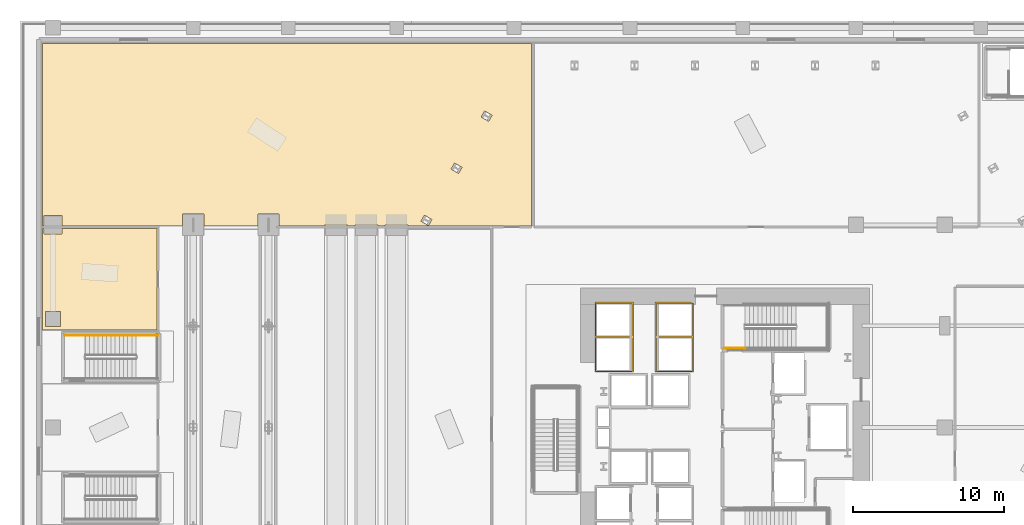
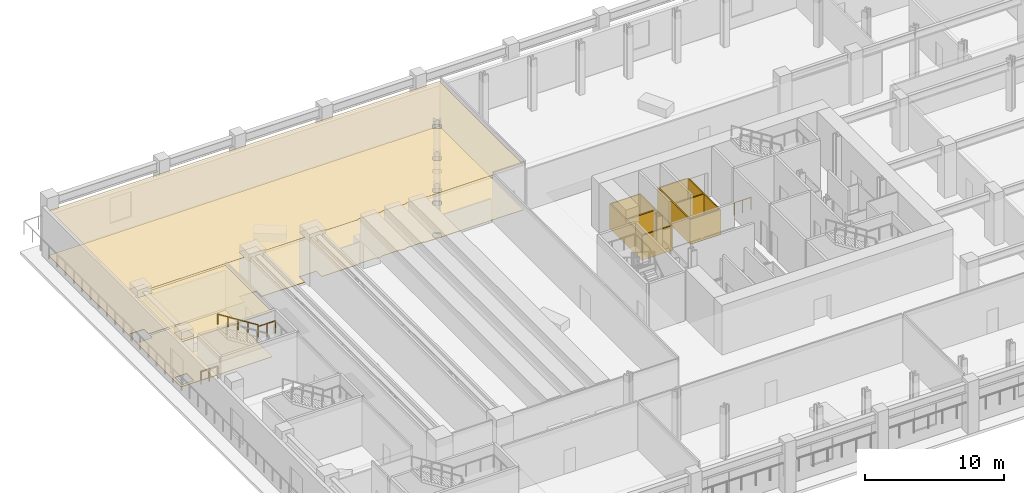
# One storey, part 20 of 24: 6 coverings, 4 railings.
"""IFC4 building model written with IfcOpenShell, lengths in metres."""

from ifc_helpers import new_model, si_unit, direction, frame, origin, origin_2d, place, context, subcontext, project, spatial, polyline, circle, outline, extrude, material, layer, layer_set, type_object, element, save


model = new_model("IFC4")

# Units and contexts
model_context = context("Model", 3, precision=1e-05, world=origin(), true_north=direction((0.0, 1.0)))
body_context = subcontext(model_context, "Body", "Model", "MODEL_VIEW")
ifc_project = project(units=[si_unit("LENGTHUNIT", "METRE"), si_unit("AREAUNIT", "SQUARE_METRE"), si_unit("VOLUMEUNIT", "CUBIC_METRE"), si_unit("PLANEANGLEUNIT", "RADIAN"), si_unit("MASSUNIT", "GRAM", prefix="KILO")], contexts=[model_context])

# Site, building, storey
site_placement = place(None, origin())
site = spatial("IfcSite", under=ifc_project, at=site_placement, CompositionType="ELEMENT")
building_placement = place(site_placement, origin())
building = spatial("IfcBuilding", under=site, at=building_placement, Name="Valkerne Bourse Tower", CompositionType="ELEMENT")
storey_placement = place(building_placement, frame((0.0, 0.0, 19.39990234375)))
storey = spatial("IfcBuildingStorey", under=building, at=storey_placement, Name="L04", CompositionType="ELEMENT", Elevation=19.39990234375)

# Coverings
ifc_material_1 = material(Name="Mineral Fiber Acoustic Ceiling Tile", Category="acoustic")
ifc_layer_1 = layer(ifc_material_1, 0.02490234375)
ifc_layer_set_1 = layer_set([ifc_layer_1], Name="Mineral Fiber Acoustic Ceiling Tile")
covering_type_1 = type_object("IfcCoveringType", Name="COV-CEIL-ACT", PredefinedType="CEILING", material=ifc_layer_set_1)
covering_1_placement = place(storey_placement, frame((0.0, 0.0, 3.9501953125)))
element("IfcCovering", 1, at=covering_1_placement, inside=storey, type_object=covering_type_1, Name="L04 Suspended Ceiling 11", PredefinedType="CEILING", context=body_context, shape_type="SweptSolid", body=[
    extrude(outline(polyline([(1.50390625, 52.49609375), (33.946044921875, 52.49609375), (33.946044921875, 40.384033203125), (25.751953125, 40.384033203125), (25.751953125, 40.4541015625), (24.22412109375, 40.4541015625), (24.22412109375, 40.384033203125), (23.7548828125, 40.384033203125), (23.7548828125, 40.4541015625), (22.22705078125, 40.4541015625), (22.22705078125, 40.384033203125), (21.756103515625, 40.384033203125), (21.756103515625, 40.4541015625), (20.22802734375, 40.4541015625), (20.22802734375, 40.384033203125), (17.2041015625, 40.384033203125), (17.2041015625, 41.154052734375), (15.7958984375, 41.154052734375), (15.7958984375, 40.384033203125), (12.2041015625, 40.384033203125), (12.2041015625, 41.154052734375), (10.7958984375, 41.154052734375), (10.7958984375, 40.384033203125), (2.803955078125, 40.384033203125), (2.803955078125, 41.053955078125), (1.595947265625, 41.053955078125), (1.595947265625, 40.384033203125), (1.50390625, 40.384033203125), (1.50390625, 52.49609375)]), holes=[polyline([(26.62109375, 40.690185546875), (27.12060546875, 40.40185546875), (27.35205078125, 40.802490234375), (26.852294921875, 41.091064453125), (26.62109375, 40.690185546875)]), polyline([(28.618896484375, 44.15087890625), (29.11865234375, 43.862548828125), (29.35009765625, 44.26318359375), (28.850341796875, 44.5517578125), (28.618896484375, 44.15087890625)]), polyline([(30.616943359375, 47.611572265625), (31.11669921875, 47.322998046875), (31.347900390625, 47.723876953125), (30.848388671875, 48.01220703125), (30.616943359375, 47.611572265625)])]), origin(), (0.0, 0.0, 1.0), 0.02490234375),
])
covering_2_placement = place(storey_placement, frame((0.0, 0.0, 3.9501953125)))
element("IfcCovering", 2, at=covering_2_placement, inside=storey, type_object=covering_type_1, Name="L04 Suspended Ceiling 12", PredefinedType="CEILING", context=body_context, shape_type="SweptSolid", body=[
    extrude(outline(polyline([(1.50390625, 40.196044921875), (1.595947265625, 40.196044921875), (1.595947265625, 39.845947265625), (2.803955078125, 39.845947265625), (2.803955078125, 40.196044921875), (9.095947265625, 40.196044921875), (9.095947265625, 33.4541015625), (1.50390625, 33.4541015625), (1.50390625, 40.196044921875)]), holes=[polyline([(1.696044921875, 34.7041015625), (1.696044921875, 33.696044921875), (2.7041015625, 33.696044921875), (2.7041015625, 34.7041015625), (1.696044921875, 34.7041015625)])]), origin(), (0.0, 0.0, 1.0), 0.02490234375),
])
ifc_material_2 = material(Name="Galvanised Painted Steel", Category="steel")
ifc_layer_2 = layer(ifc_material_2, 0.044921875)
ifc_layer_set_2 = layer_set([ifc_layer_2], Name="Galvanised Painted Steel")
covering_type_2 = type_object("IfcCoveringType", Name="COV-FLR-RAF", PredefinedType="FLOORING", material=ifc_layer_set_2)
covering_3_placement = place(storey_placement, origin())
element("IfcCovering", 3, at=covering_3_placement, inside=storey, type_object=covering_type_2, Name="L04 Floor Finish 11", PredefinedType="FLOORING", context=body_context, shape_type="SweptSolid", body=[
    extrude(outline(polyline([(1.50390625, 52.49609375), (33.946044921875, 52.49609375), (33.946044921875, 40.384033203125), (25.751953125, 40.384033203125), (25.751953125, 40.4541015625), (24.22412109375, 40.4541015625), (24.22412109375, 40.384033203125), (23.7548828125, 40.384033203125), (23.7548828125, 40.4541015625), (22.22705078125, 40.4541015625), (22.22705078125, 40.384033203125), (21.756103515625, 40.384033203125), (21.756103515625, 40.4541015625), (20.22802734375, 40.4541015625), (20.22802734375, 40.384033203125), (17.2041015625, 40.384033203125), (17.2041015625, 41.154052734375), (15.7958984375, 41.154052734375), (15.7958984375, 40.384033203125), (12.2041015625, 40.384033203125), (12.2041015625, 41.154052734375), (10.7958984375, 41.154052734375), (10.7958984375, 40.384033203125), (2.803955078125, 40.384033203125), (2.803955078125, 41.053955078125), (1.595947265625, 41.053955078125), (1.595947265625, 40.384033203125), (1.50390625, 40.384033203125), (1.50390625, 52.49609375)]), holes=[polyline([(26.62109375, 40.690185546875), (27.12060546875, 40.40185546875), (27.35205078125, 40.802490234375), (26.852294921875, 41.091064453125), (26.62109375, 40.690185546875)]), polyline([(28.618896484375, 44.15087890625), (29.11865234375, 43.862548828125), (29.35009765625, 44.26318359375), (28.850341796875, 44.5517578125), (28.618896484375, 44.15087890625)]), polyline([(30.616943359375, 47.611572265625), (31.11669921875, 47.322998046875), (31.347900390625, 47.723876953125), (30.848388671875, 48.01220703125), (30.616943359375, 47.611572265625)])]), origin(), (0.0, 0.0, 1.0), 0.045166015625),
])
covering_4_placement = place(storey_placement, origin())
element("IfcCovering", 4, at=covering_4_placement, inside=storey, type_object=covering_type_2, Name="L04 Floor Finish 12", PredefinedType="FLOORING", context=body_context, shape_type="SweptSolid", body=[
    extrude(outline(polyline([(1.50390625, 40.196044921875), (1.595947265625, 40.196044921875), (1.595947265625, 39.845947265625), (2.803955078125, 39.845947265625), (2.803955078125, 40.196044921875), (9.095947265625, 40.196044921875), (9.095947265625, 33.4541015625), (1.50390625, 33.4541015625), (1.50390625, 40.196044921875)]), holes=[polyline([(1.696044921875, 34.7041015625), (1.696044921875, 33.696044921875), (2.7041015625, 33.696044921875), (2.7041015625, 34.7041015625), (1.696044921875, 34.7041015625)])]), origin(), (0.0, 0.0, 1.0), 0.045166015625),
])
ifc_material_3 = material(Name="Gypsum Shaftwall Liner Board", Category="gypsum")
ifc_layer_3 = layer(ifc_material_3, 0.080078125)
ifc_layer_set_3 = layer_set([ifc_layer_3], Name="Gypsum Shaftwall Liner Board")
covering_type_3 = type_object("IfcCoveringType", Name="COV-SHF-CLAD", PredefinedType="CLADDING", material=ifc_layer_set_3)
covering_5_placement = place(storey_placement, origin())
element("IfcCovering", 5, at=covering_5_placement, inside=storey, type_object=covering_type_3, Name="L04 Hoistway & Riser Shaftwall Liner 05", PredefinedType="CLADDING", context=body_context, shape_type="SweptSolid", body=[
    extrude(outline(polyline([(40.72998046875, 35.330078125), (40.72998046875, 33.030029296875), (40.72998046875, 32.969970703125), (40.72998046875, 30.669921875), (38.169921875, 30.669921875), (38.169921875, 32.969970703125), (38.169921875, 33.030029296875), (38.169921875, 35.330078125), (40.72998046875, 35.330078125)]), holes=[polyline([(38.260009765625, 30.760009765625), (40.639892578125, 30.760009765625), (40.639892578125, 32.93994140625), (38.260009765625, 32.93994140625), (38.260009765625, 30.760009765625)]), polyline([(38.260009765625, 33.06005859375), (40.639892578125, 33.06005859375), (40.639892578125, 35.239990234375), (38.260009765625, 35.239990234375), (38.260009765625, 33.06005859375)])]), origin(), (0.0, 0.0, 1.0), 2.18017578125),
])
covering_6_placement = place(storey_placement, origin())
element("IfcCovering", 6, at=covering_6_placement, inside=storey, type_object=covering_type_3, Name="L04 Hoistway & Riser Shaftwall Liner 12", PredefinedType="CLADDING", context=body_context, shape_type="SweptSolid", body=[
    extrude(outline(polyline([(42.169921875, 35.330078125), (44.474365234375, 35.330078125), (44.47998046875, 35.32568359375), (44.517822265625, 35.302978515625), (44.557861328125, 35.2841796875), (44.599365234375, 35.269287109375), (44.64208984375, 35.258544921875), (44.685791015625, 35.252197265625), (44.72998046875, 35.25), (44.72998046875, 33.030029296875), (44.72998046875, 32.969970703125), (44.72998046875, 30.669921875), (42.169921875, 30.669921875), (42.169921875, 32.969970703125), (42.169921875, 33.030029296875), (42.169921875, 35.330078125)]), holes=[polyline([(42.260009765625, 32.93994140625), (42.260009765625, 30.760009765625), (44.639892578125, 30.760009765625), (44.639892578125, 32.93994140625), (42.260009765625, 32.93994140625)]), polyline([(42.260009765625, 33.06005859375), (44.639892578125, 33.06005859375), (44.639892578125, 35.239990234375), (42.260009765625, 35.239990234375), (42.260009765625, 33.06005859375)])]), origin(), (0.0, 0.0, 1.0), 2.18017578125),
])

# Railings
railing_type_1 = type_object("IfcRailingType", Name="RLG-ST-GUARD-1120", PredefinedType="GUARDRAIL", material=ifc_material_2)
railing_1_placement = place(storey_placement, frame((46.75, 32.25, 0.0)))
element("IfcRailing", 7, at=railing_1_placement, inside=storey, type_object=railing_type_1, Name="L04 ST-2 stair guard 8", PredefinedType="GUARDRAIL", context=body_context, shape_type="SweptSolid", body=[
    extrude(circle(Radius=0.02392578125, at=origin_2d()), frame((0.0, 0.0, 1.09619140625), z_axis=(1.0, 0.0, 0.0), x_axis=(0.0, 1.0, 0.0)), (0.0, 0.0, 1.0), 1.39990234375),
    extrude(circle(Radius=0.02099609375, at=origin_2d()), origin(), (0.0, 0.0, 1.0), 1.072021484375),
    extrude(circle(Radius=0.02099609375, at=origin_2d()), frame((0.699951171875, 0.0, 0.0)), (0.0, 0.0, 1.0), 1.072021484375),
    extrude(circle(Radius=0.02099609375, at=origin_2d()), frame((1.39990234375, 0.0, 0.0)), (0.0, 0.0, 1.0), 1.072021484375),
])
railing_2_placement = place(storey_placement, frame((7.7099609375, 33.10009765625, 2.300048828125)))
element("IfcRailing", 8, at=railing_2_placement, inside=storey, type_object=railing_type_1, Name="L04 ST-G2 stair guard 4", PredefinedType="GUARDRAIL", context=body_context, shape_type="SweptSolid", body=[
    extrude(circle(Radius=0.02392578125, at=origin_2d()), frame((0.0, 0.0, 1.09619140625), z_axis=(1.0, 0.0, 0.0), x_axis=(0.0, 1.0, 0.0)), (0.0, 0.0, 1.0), 1.43994140625),
    extrude(circle(Radius=0.02099609375, at=origin_2d()), origin(), (0.0, 0.0, 1.0), 1.072021484375),
    extrude(circle(Radius=0.02099609375, at=origin_2d()), frame((0.719970703125, 0.0, 0.0)), (0.0, 0.0, 1.0), 1.072021484375),
    extrude(circle(Radius=0.02099609375, at=origin_2d()), frame((1.43994140625, 0.0, 0.0)), (0.0, 0.0, 1.0), 1.072021484375),
])
railing_3_placement = place(storey_placement, frame((2.949951171875, 33.10009765625, 0.0)))
element("IfcRailing", 9, at=railing_3_placement, inside=storey, type_object=railing_type_1, Name="L04 ST-G2 stair guard 9", PredefinedType="GUARDRAIL", context=body_context, shape_type="SweptSolid", body=[
    extrude(circle(Radius=0.02392578125, at=origin_2d()), frame((0.0, 0.0, 1.09619140625), z_axis=(1.0, 0.0, 0.0), x_axis=(0.0, 1.0, 0.0)), (0.0, 0.0, 1.0), 1.400146484375),
    extrude(circle(Radius=0.02099609375, at=origin_2d()), origin(), (0.0, 0.0, 1.0), 1.072021484375),
    extrude(circle(Radius=0.02099609375, at=origin_2d()), frame((0.7001953125, 0.0, 0.0)), (0.0, 0.0, 1.0), 1.072021484375),
    extrude(circle(Radius=0.02099609375, at=origin_2d()), frame((1.400146484375, 0.0, 0.0)), (0.0, 0.0, 1.0), 1.072021484375),
])
ifc_material_4 = material(Name="Stainless Steel AISI 316", Category="steel")
railing_type_2 = type_object("IfcRailingType", Name="RLG-ST-HANDRAIL-900", PredefinedType="HANDRAIL", material=ifc_material_4)
railing_4_placement = place(storey_placement, frame((7.7099609375, 33.10009765625, 2.654052734375)))
element("IfcRailing", 10, at=railing_4_placement, inside=storey, type_object=railing_type_2, Name="L04 ST-G2 stair handrail 2", PredefinedType="HANDRAIL", context=body_context, shape_type="SweptSolid", body=[
    extrude(circle(Radius=0.02392578125, at=origin_2d()), frame((0.0, 0.0, 0.8759765625), z_axis=(-0.845372108799, 0.0, 0.534177870812), x_axis=(0.0, -1.0, 0.0)), (0.0, 0.0, 1.0), 3.974365234375),
    extrude(circle(Radius=0.02099609375, at=origin_2d()), origin(), (0.0, 0.0, 1.0), 0.851806640625),
    extrude(circle(Radius=0.02099609375, at=origin_2d()), frame((-0.83984375, 0.0, 0.53076171875)), (0.0, 0.0, 1.0), 0.851806640625),
    extrude(circle(Radius=0.02099609375, at=origin_2d()), frame((-1.679931640625, 0.0, 1.0615234375)), (0.0, 0.0, 1.0), 0.851806640625),
    extrude(circle(Radius=0.02099609375, at=origin_2d()), frame((-2.52001953125, 0.0, 1.59228515625)), (0.0, 0.0, 1.0), 0.851806640625),
    extrude(circle(Radius=0.02099609375, at=origin_2d()), frame((-3.35986328125, 0.0, 2.123046875)), (0.0, 0.0, 1.0), 0.851806640625),
])

save(model, "model.ifc")
